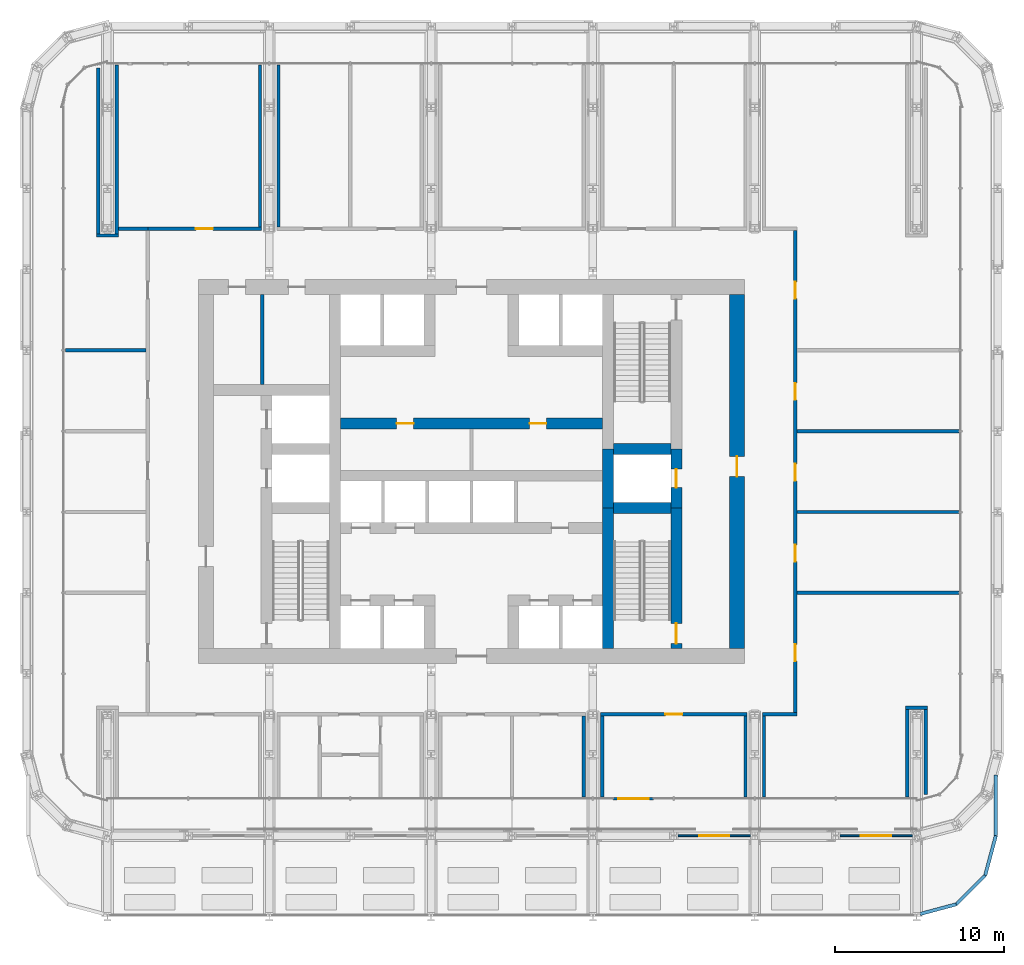
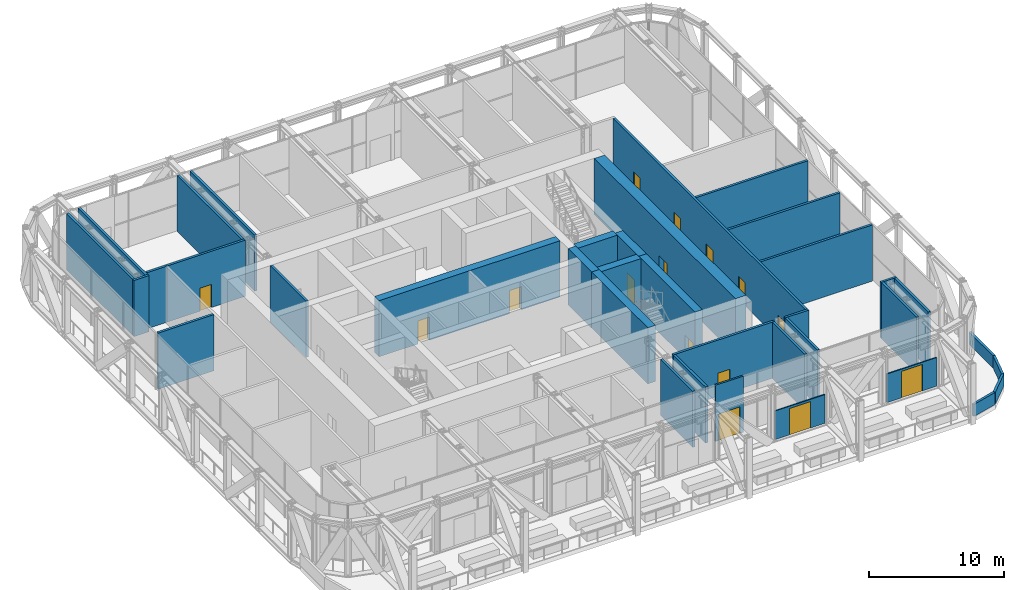
# One storey, part 16 of 23: 37 walls, 15 doors, 15 openings.
"""IFC4 building model written with IfcOpenShell, lengths in metres."""

from ifc_helpers import new_model, si_unit, direction, frame, frame_2d, origin, place, context, subcontext, project, spatial, rectangle, extrude, material, layer, layer_set, type_object, element, fill, save


model = new_model("IFC4")

# Units and contexts
model_context = context("Model", 3, precision=1e-05, world=origin(), true_north=direction((0.0, 1.0)))
body_context = subcontext(model_context, "Body", "Model", "MODEL_VIEW")
ifc_project = project(units=[si_unit("LENGTHUNIT", "METRE"), si_unit("AREAUNIT", "SQUARE_METRE"), si_unit("VOLUMEUNIT", "CUBIC_METRE"), si_unit("PLANEANGLEUNIT", "RADIAN"), si_unit("MASSUNIT", "GRAM", prefix="KILO")], contexts=[model_context])

# Site, building, storey
site_placement = place(None, origin())
site = spatial("IfcSite", under=ifc_project, at=site_placement, CompositionType="ELEMENT")
building_placement = place(site_placement, origin())
building = spatial("IfcBuilding", under=site, at=building_placement, Name="Madar Terraces", CompositionType="ELEMENT")
storey_placement = place(building_placement, frame((0.0, 0.0, 83.800048828125)))
storey = spatial("IfcBuildingStorey", under=building, at=storey_placement, Name="L21", CompositionType="ELEMENT", Elevation=83.800048828125)

# Walls
ifc_material_1 = material(Name="Concrete C80/95", Category="concrete")
ifc_layer_1 = layer(ifc_material_1, 0.64990234375)
ifc_layer_set_1 = layer_set([ifc_layer_1], Name="Concrete C80/95 (CIW2 RC wall 650)")
wall_type_1 = type_object("IfcWallType", Name="CIW2 RC wall 650", PredefinedType="SHEAR", material=ifc_layer_set_1)
wall_1_placement = place(storey_placement, frame((39.300048828125, 15.89990234375, 0.0), z_axis=(0.0, 0.0, 1.0), x_axis=(0.0, 1.0, 0.0)))
element("IfcWall", 1, at=wall_1_placement, inside=storey, type_object=wall_type_1, Name="CORE SHAFT WALL", PredefinedType="SHEAR", context=body_context, shape_type="SweptSolid", body=[
    extrude(rectangle(XDim=8.35009765625, YDim=0.64990234375, at=frame_2d((4.175048828125, 0.0))), origin(), (0.0, 0.0, 1.0), 5.099853515625),
])
wall_2_placement = place(storey_placement, frame((39.300048828125, 24.25, 0.0), z_axis=(0.0, 0.0, 1.0), x_axis=(0.0, 1.0, 0.0)))
element("IfcWall", 2, at=wall_2_placement, inside=storey, type_object=wall_type_1, Name="CORE SHAFT WALL", PredefinedType="SHEAR", context=body_context, shape_type="SweptSolid", body=[
    extrude(rectangle(XDim=3.5, YDim=0.64990234375, at=frame_2d((1.75, 0.0))), origin(), (0.0, 0.0, 1.0), 5.099853515625),
])

# Wall, opening, door
wall_3_placement = place(storey_placement, frame((43.35009765625, 15.89990234375, 0.0), z_axis=(0.0, 0.0, 1.0), x_axis=(0.0, 1.0, 0.0)))
wall_3 = element("IfcWall", 3, at=wall_3_placement, inside=storey, type_object=wall_type_1, Name="CORE SHAFT WALL", PredefinedType="SHEAR", context=body_context, shape_type="SweptSolid", body=[
    extrude(rectangle(XDim=8.35009765625, YDim=0.64990234375, at=frame_2d((4.175048828125, 0.0))), origin(), (0.0, 0.0, 1.0), 5.099853515625),
])
opening_1_placement = place(wall_3_placement, frame((0.300048828125, 0.0, 0.0)))
opening_1 = element("IfcOpeningElement", 4, at=opening_1_placement, cuts=wall_3, Name="Opening SD1", PredefinedType="OPENING", context=body_context, shape_type="SweptSolid", body=[
    extrude(rectangle(XDim=1.199951171875, YDim=2.10009765625, at=frame_2d((0.60009765625, 1.050048828125))), frame((0.0, 0.3349609375, 0.0), z_axis=(0.0, -1.0, 0.0), x_axis=(1.0, 0.0, 0.0)), (0.0, 0.0, 1.0), 0.669921875),
])
ifc_material_2 = material(Name="Steel door leaf", Category="steel")
door_type_1 = type_object("IfcDoorType", Name="Stair door 1200 x 2100", OperationType="NOTDEFINED", PredefinedType="DOOR", material=ifc_material_2)
door_1_placement = place(opening_1_placement, origin())
door_1 = element("IfcDoor", 5, at=door_1_placement, inside=storey, type_object=door_type_1, Name="STAIR DOOR", OperationType="SINGLE_SWING_RIGHT", OverallHeight=2.10009765625, OverallWidth=1.199951171875, PredefinedType="DOOR", context=body_context, shape_type="SweptSolid", body=[
    extrude(rectangle(XDim=1.199951171875, YDim=2.10009765625, at=frame_2d((0.60009765625, 1.050048828125))), frame((0.0, 0.02490234375, 0.0), z_axis=(0.0, -1.0, 0.0), x_axis=(1.0, 0.0, 0.0)), (0.0, 0.0, 1.0), 0.050048828125),
])
fill(opening_1, door_1)

wall_4_placement = place(storey_placement, frame((43.35009765625, 24.25, 0.0), z_axis=(0.0, 0.0, 1.0), x_axis=(0.0, 1.0, 0.0)))
wall_4 = element("IfcWall", 6, at=wall_4_placement, inside=storey, type_object=wall_type_1, Name="CORE SHAFT WALL", PredefinedType="SHEAR", context=body_context, shape_type="SweptSolid", body=[
    extrude(rectangle(XDim=3.5, YDim=0.64990234375, at=frame_2d((1.75, 0.0))), origin(), (0.0, 0.0, 1.0), 5.099853515625),
])
opening_2_placement = place(wall_4_placement, frame((1.199951171875, 0.0, 0.0)))
opening_2 = element("IfcOpeningElement", 7, at=opening_2_placement, cuts=wall_4, Name="Opening LD", PredefinedType="OPENING", context=body_context, shape_type="SweptSolid", body=[
    extrude(rectangle(XDim=1.10009765625, YDim=2.10009765625, at=frame_2d((0.550048828125, 1.050048828125))), frame((0.0, 0.3349609375, 0.0), z_axis=(0.0, -1.0, 0.0), x_axis=(1.0, 0.0, 0.0)), (0.0, 0.0, 1.0), 0.669921875),
])
ifc_material_3 = material(Name="Stainless steel panel", Category="steel")
door_type_2 = type_object("IfcDoorType", Name="Lift landing door 1100 x 2100", OperationType="DOUBLE_DOOR_SLIDING", PredefinedType="DOOR", material=ifc_material_3)
door_2_placement = place(opening_2_placement, origin())
door_2 = element("IfcDoor", 8, at=door_2_placement, inside=storey, type_object=door_type_2, Name="LIFT LANDING DOOR", OperationType="DOUBLE_DOOR_SLIDING", OverallHeight=2.10009765625, OverallWidth=1.10009765625, PredefinedType="DOOR", context=body_context, shape_type="SweptSolid", body=[
    extrude(rectangle(XDim=1.10009765625, YDim=2.10009765625, at=frame_2d((0.550048828125, 1.050048828125))), frame((0.0, 0.02490234375, 0.0), z_axis=(0.0, -1.0, 0.0), x_axis=(1.0, 0.0, 0.0)), (0.0, 0.0, 1.0), 0.050048828125),
])
fill(opening_2, door_2)

# Walls
for number, where, z_axis, x_axis, name in (
    (9, (39.625, 24.25, 0.0), (0.0, 0.0, 1.0), (1.0, 0.0, 0.0), "CORE SHAFT WALL"),
    (10, (39.625, 27.75, 0.0), (0.0, 0.0, 1.0), (1.0, 0.0, 0.0), "CORE SHAFT WALL"),
):
    element("IfcWall", number, at=place(storey_placement, frame(where, z_axis=z_axis, x_axis=x_axis)), inside=storey, type_object=wall_type_1, Name=name, PredefinedType="SHEAR", context=body_context, shape_type="SweptSolid", body=[
        extrude(rectangle(XDim=3.39990234375, YDim=0.64990234375, at=frame_2d((1.699951171875, 0.0))), origin(), (0.0, 0.0, 1.0), 5.099853515625),
    ])

# Wall, openings, doors
wall_5_placement = place(storey_placement, frame((23.425048828125, 29.25, 0.0), z_axis=(0.0, 0.0, 1.0), x_axis=(1.0, 0.0, 0.0)))
wall_5 = element("IfcWall", 11, at=wall_5_placement, inside=storey, type_object=wall_type_1, Name="CORE SHAFT WALL", PredefinedType="SHEAR", context=body_context, shape_type="SweptSolid", body=[
    extrude(rectangle(XDim=15.550048828125, YDim=0.64990234375, at=frame_2d((7.77490234375, 0.0))), origin(), (0.0, 0.0, 1.0), 5.099853515625),
])
opening_3_placement = place(wall_5_placement, frame((3.33740234375, 0.0, 0.0)))
opening_3 = element("IfcOpeningElement", 12, at=opening_3_placement, cuts=wall_5, Name="Opening KD2", PredefinedType="OPENING", context=body_context, shape_type="SweptSolid", body=[
    extrude(rectangle(XDim=1.0, YDim=2.10009765625, at=frame_2d((0.5, 1.050048828125))), frame((0.0, 0.3349609375, 0.0), z_axis=(0.0, -1.0, 0.0), x_axis=(1.0, 0.0, 0.0)), (0.0, 0.0, 1.0), 0.669921875),
])
opening_4_placement = place(wall_5_placement, frame((11.21240234375, 0.0, 0.0)))
opening_4 = element("IfcOpeningElement", 13, at=opening_4_placement, cuts=wall_5, Name="Opening KD2", PredefinedType="OPENING", context=body_context, shape_type="SweptSolid", body=[
    extrude(rectangle(XDim=1.0, YDim=2.10009765625, at=frame_2d((0.5, 1.050048828125))), frame((0.0, 0.3349609375, 0.0), z_axis=(0.0, -1.0, 0.0), x_axis=(1.0, 0.0, 0.0)), (0.0, 0.0, 1.0), 0.669921875),
])
ifc_material_4 = material(Name="Steel door leaf", Category="steel")
door_type_3 = type_object("IfcDoorType", Name="Service room door 1000 x 2100", OperationType="NOTDEFINED", PredefinedType="DOOR", material=ifc_material_4)
door_3_placement = place(opening_3_placement, origin())
door_3 = element("IfcDoor", 14, at=door_3_placement, inside=storey, type_object=door_type_3, Name="SERVICE ROOM DOOR", OperationType="SINGLE_SWING_LEFT", OverallHeight=2.10009765625, OverallWidth=1.0, PredefinedType="DOOR", context=body_context, shape_type="SweptSolid", body=[
    extrude(rectangle(XDim=1.0, YDim=2.10009765625, at=frame_2d((0.5, 1.050048828125))), frame((0.0, 0.02490234375, 0.0), z_axis=(0.0, -1.0, 0.0), x_axis=(1.0, 0.0, 0.0)), (0.0, 0.0, 1.0), 0.050048828125),
])
fill(opening_3, door_3)
door_4_placement = place(opening_4_placement, origin())
door_4 = element("IfcDoor", 15, at=door_4_placement, inside=storey, type_object=door_type_3, Name="SERVICE ROOM DOOR", OperationType="SINGLE_SWING_RIGHT", OverallHeight=2.10009765625, OverallWidth=1.0, PredefinedType="DOOR", context=body_context, shape_type="SweptSolid", body=[
    extrude(rectangle(XDim=1.0, YDim=2.10009765625, at=frame_2d((0.5, 1.050048828125))), frame((0.0, 0.02490234375, 0.0), z_axis=(0.0, -1.0, 0.0), x_axis=(1.0, 0.0, 0.0)), (0.0, 0.0, 1.0), 0.050048828125),
])
fill(opening_4, door_4)

# Wall, opening, door
ifc_material_5 = material(Name="Concrete C80/95", Category="concrete")
ifc_layer_2 = layer(ifc_material_5, 0.89990234375)
ifc_layer_set_2 = layer_set([ifc_layer_2], Name="Concrete C80/95 (CRW2 RC wall 900)")
wall_type_2 = type_object("IfcWallType", Name="CRW2 RC wall 900", PredefinedType="SHEAR", material=ifc_layer_set_2)
wall_6_placement = place(storey_placement, frame((46.949951171875, 15.89990234375, 0.0), z_axis=(0.0, 0.0, 1.0), x_axis=(0.0, 1.0, 0.0)))
wall_6 = element("IfcWall", 16, at=wall_6_placement, inside=storey, type_object=wall_type_2, Name="CORE OUTER WALL", PredefinedType="SHEAR", context=body_context, shape_type="SweptSolid", body=[
    extrude(rectangle(XDim=21.0, YDim=0.89990234375, at=frame_2d((10.5, 0.0))), origin(), (0.0, 0.0, 1.0), 5.099853515625),
])
opening_5_placement = place(wall_6_placement, frame((10.199951171875, 0.0, 0.0)))
opening_5 = element("IfcOpeningElement", 17, at=opening_5_placement, cuts=wall_6, Name="Opening SD1", PredefinedType="OPENING", context=body_context, shape_type="SweptSolid", body=[
    extrude(rectangle(XDim=1.199951171875, YDim=2.10009765625, at=frame_2d((0.60009765625, 1.050048828125))), frame((0.0, 0.4599609375, 0.0), z_axis=(0.0, -1.0, 0.0), x_axis=(1.0, 0.0, 0.0)), (0.0, 0.0, 1.0), 0.919921875),
])
door_5_placement = place(opening_5_placement, origin())
door_5 = element("IfcDoor", 18, at=door_5_placement, inside=storey, type_object=door_type_1, Name="STAIR DOOR", OperationType="SINGLE_SWING_LEFT", OverallHeight=2.10009765625, OverallWidth=1.199951171875, PredefinedType="DOOR", context=body_context, shape_type="SweptSolid", body=[
    extrude(rectangle(XDim=1.199951171875, YDim=2.10009765625, at=frame_2d((0.60009765625, 1.050048828125))), frame((0.0, 0.02490234375, 0.0), z_axis=(0.0, -1.0, 0.0), x_axis=(1.0, 0.0, 0.0)), (0.0, 0.0, 1.0), 0.050048828125),
])
fill(opening_5, door_5)

# Wall
ifc_material_6 = material(Name="Masonry blockwork", Category="masonry")
ifc_layer_3 = layer(ifc_material_6, 0.199951171875)
ifc_layer_set_3 = layer_set([ifc_layer_3], Name="Core partition 200 blockwork")
wall_type_3 = type_object("IfcWallType", Name="Core partition 200 blockwork", PredefinedType="PARTITIONING", material=ifc_layer_set_3)
wall_7_placement = place(storey_placement, frame((18.78759765625, 31.574951171875, 0.0), z_axis=(0.0, 0.0, 1.0), x_axis=(0.0, 1.0, 0.0)))
element("IfcWall", 19, at=wall_7_placement, inside=storey, type_object=wall_type_3, Name="SERVICE ROOM PARTITION", PredefinedType="PARTITIONING", context=body_context, shape_type="SweptSolid", body=[
    extrude(rectangle(XDim=5.324951171875, YDim=0.199951171875, at=frame_2d((2.66259765625, 0.0))), origin(), (0.0, 0.0, 1.0), 5.099853515625),
])

# Wall, opening, door
ifc_material_7 = material(Name="Aluminium composite panel, black, over insulated backing", Category="aluminium")
ifc_layer_4 = layer(ifc_material_7, 0.14990234375)
ifc_layer_set_4 = layer_set([ifc_layer_4], Name="Facade bay panel 150")
wall_type_4 = type_object("IfcWallType", Name="Facade bay panel 150", PredefinedType="SOLIDWALL", material=ifc_layer_set_4)
wall_8_placement = place(storey_placement, frame((39.60009765625, 7.0, 0.0), z_axis=(0.0, 0.0, 1.0), x_axis=(1.0, 0.0, 0.0)))
wall_8 = element("IfcWall", 20, at=wall_8_placement, inside=storey, type_object=wall_type_4, Name="Facade bay panel", PredefinedType="SOLIDWALL", context=body_context, shape_type="SweptSolid", body=[
    extrude(rectangle(XDim=2.39990234375, YDim=0.14990234375, at=frame_2d((1.199951171875, 0.0))), origin(), (0.0, 0.0, 1.0), 5.099853515625),
])
opening_6_placement = place(wall_8_placement, frame((0.300048828125, 0.0, 0.0)))
opening_6 = element("IfcOpeningElement", 21, at=opening_6_placement, cuts=wall_8, Name="Opening ED1", PredefinedType="OPENING", context=body_context, shape_type="SweptSolid", body=[
    extrude(rectangle(XDim=1.800048828125, YDim=2.39990234375, at=frame_2d((0.89990234375, 1.199951171875))), frame((0.0, 0.0849609375, 0.0), z_axis=(0.0, -1.0, 0.0), x_axis=(1.0, 0.0, 0.0)), (0.0, 0.0, 1.0), 0.169921875),
])
ifc_material_8 = material(Name="Glass, clear, with black aluminium frame", Category="aluminium")
door_type_4 = type_object("IfcDoorType", Name="Balcony and terrace sliding door 1800 x 2400", OperationType="SLIDING_TO_LEFT", PredefinedType="DOOR", material=ifc_material_8)
door_6_placement = place(opening_6_placement, origin())
door_6 = element("IfcDoor", 22, at=door_6_placement, inside=storey, type_object=door_type_4, Name="Balcony door", OperationType="SLIDING_TO_LEFT", OverallHeight=2.39990234375, OverallWidth=1.800048828125, PredefinedType="DOOR", context=body_context, shape_type="SweptSolid", body=[
    extrude(rectangle(XDim=1.800048828125, YDim=2.39990234375, at=frame_2d((0.89990234375, 1.199951171875))), frame((0.0, 0.02490234375, 0.0), z_axis=(0.0, -1.0, 0.0), x_axis=(1.0, 0.0, 0.0)), (0.0, 0.0, 1.0), 0.050048828125),
])
fill(opening_6, door_6)

ifc_material_9 = material(Name="Gypsum board partition, fire-rated")
ifc_layer_5 = layer(ifc_material_9, 0.199951171875)
ifc_layer_set_5 = layer_set([ifc_layer_5], Name="Partition 200 EI 60")
wall_type_5 = type_object("IfcWallType", Name="Partition 200 EI 60", PredefinedType="PARTITIONING", material=ifc_layer_set_5)
wall_9_placement = place(storey_placement, frame((47.550048828125, 12.0, 0.0), z_axis=(0.0, 0.0, 1.0), x_axis=(-1.0, 0.0, 0.0)))
wall_9 = element("IfcWall", 23, at=wall_9_placement, inside=storey, type_object=wall_type_5, Name="Wall NURSERY PLAY ROOM / RING CORRIDOR", PredefinedType="PARTITIONING", context=body_context, shape_type="SweptSolid", body=[
    extrude(rectangle(XDim=8.699951171875, YDim=0.199951171875, at=frame_2d((4.35009765625, 0.0))), origin(), (0.0, 0.0, 1.0), 5.099853515625),
])
opening_7_placement = place(wall_9_placement, frame((3.85009765625, 0.0, 0.0)))
opening_7 = element("IfcOpeningElement", 24, at=opening_7_placement, cuts=wall_9, Name="Opening D31", PredefinedType="OPENING", context=body_context, shape_type="SweptSolid", body=[
    extrude(rectangle(XDim=1.0, YDim=2.10009765625, at=frame_2d((0.5, 1.050048828125))), frame((0.0, 0.10986328125, 0.0), z_axis=(0.0, -1.0, 0.0), x_axis=(1.0, 0.0, 0.0)), (0.0, 0.0, 1.0), 0.219970703125),
])
ifc_material_10 = material(Name="Timber door leaf, fire-rated", Category="wood")
door_type_5 = type_object("IfcDoorType", Name="Podium door 1000 x 2100 FD30S", OperationType="NOTDEFINED", PredefinedType="DOOR", material=ifc_material_10)
door_7_placement = place(opening_7_placement, origin())
door_7 = element("IfcDoor", 25, at=door_7_placement, inside=storey, type_object=door_type_5, Name="Door NURSERY PLAY ROOM / RING CORRIDOR", OperationType="SINGLE_SWING_LEFT", OverallHeight=2.10009765625, OverallWidth=1.0, PredefinedType="DOOR", context=body_context, shape_type="SweptSolid", body=[
    extrude(rectangle(XDim=1.0, YDim=2.10009765625, at=frame_2d((0.5, 1.050048828125))), frame((0.0, 0.02490234375, 0.0), z_axis=(0.0, -1.0, 0.0), x_axis=(1.0, 0.0, 0.0)), (0.0, 0.0, 1.0), 0.050048828125),
])
fill(opening_7, door_7)

# Walls
wall_10_placement = place(storey_placement, frame((48.449951171875, 12.0, 0.0), z_axis=(0.0, 0.0, 1.0), x_axis=(1.0, 0.0, 0.0)))
element("IfcWall", 26, at=wall_10_placement, inside=storey, type_object=wall_type_5, Name="Wall CHILDRENS ACTIVITY ROOM / RING CORRIDOR", PredefinedType="PARTITIONING", context=body_context, shape_type="SweptSolid", body=[
    extrude(rectangle(XDim=2.050048828125, YDim=0.199951171875, at=frame_2d((1.02490234375, 0.0))), origin(), (0.0, 0.0, 1.0), 5.099853515625),
])
for number, where, z_axis, x_axis, name in (
    (27, (50.5, 19.199951171875, 0.0), (0.0, 0.0, 1.0), (1.0, 0.0, 0.0), "Wall CHILDRENS ACTIVITY ROOM / YOUTH ROOM"),
    (28, (50.5, 24.0, 0.0), (0.0, 0.0, 1.0), (1.0, 0.0, 0.0), "Wall YOUTH ROOM / KITCHENETTE"),
    (29, (50.5, 28.800048828125, 0.0), (0.0, 0.0, 1.0), (1.0, 0.0, 0.0), "Wall KITCHENETTE / ACTIVITY ROOM"),
):
    element("IfcWall", number, at=place(storey_placement, frame(where, z_axis=z_axis, x_axis=x_axis)), inside=storey, type_object=wall_type_5, Name=name, PredefinedType="PARTITIONING", context=body_context, shape_type="SweptSolid", body=[
        extrude(rectangle(XDim=9.60009765625, YDim=0.199951171875, at=frame_2d((4.800048828125, 0.0))), origin(), (0.0, 0.0, 1.0), 5.099853515625),
    ])
wall_11_placement = place(storey_placement, frame((7.10009765625, 33.60009765625, 0.0), z_axis=(0.0, 0.0, 1.0), x_axis=(1.0, 0.0, 0.0)))
element("IfcWall", 30, at=wall_11_placement, inside=storey, type_object=wall_type_5, Name="Wall OFFICE / STAFF ROOM", PredefinedType="PARTITIONING", context=body_context, shape_type="SweptSolid", body=[
    extrude(rectangle(XDim=4.7998046875, YDim=0.199951171875, at=frame_2d((2.39990234375, 0.0))), origin(), (0.0, 0.0, 1.0), 5.099853515625),
])
wall_12_placement = place(storey_placement, frame((10.25, 40.800048828125, 0.0), z_axis=(0.0, 0.0, 1.0), x_axis=(1.0, 0.0, 0.0)))
element("IfcWall", 31, at=wall_12_placement, inside=storey, type_object=wall_type_5, Name="Wall CRAFT ROOM / STAFF ROOM", PredefinedType="PARTITIONING", context=body_context, shape_type="SweptSolid", body=[
    extrude(rectangle(XDim=1.75, YDim=0.199951171875, at=frame_2d((0.875, 0.0))), origin(), (0.0, 0.0, 1.0), 5.099853515625),
])

# Wall, opening, door
wall_13_placement = place(storey_placement, frame((12.0, 40.800048828125, 0.0), z_axis=(0.0, 0.0, 1.0), x_axis=(1.0, 0.0, 0.0)))
wall_13 = element("IfcWall", 32, at=wall_13_placement, inside=storey, type_object=wall_type_5, Name="Wall CRAFT ROOM / RING CORRIDOR", PredefinedType="PARTITIONING", context=body_context, shape_type="SweptSolid", body=[
    extrude(rectangle(XDim=6.75, YDim=0.199951171875, at=frame_2d((3.375, 0.0))), origin(), (0.0, 0.0, 1.0), 5.099853515625),
])
opening_8_placement = place(wall_13_placement, frame((2.85009765625, 0.0, 0.0)))
opening_8 = element("IfcOpeningElement", 33, at=opening_8_placement, cuts=wall_13, Name="Opening D31", PredefinedType="OPENING", context=body_context, shape_type="SweptSolid", body=[
    extrude(rectangle(XDim=1.0, YDim=2.10009765625, at=frame_2d((0.5, 1.050048828125))), frame((0.0, 0.10986328125, 0.0), z_axis=(0.0, -1.0, 0.0), x_axis=(1.0, 0.0, 0.0)), (0.0, 0.0, 1.0), 0.219970703125),
])
door_8_placement = place(opening_8_placement, origin())
door_8 = element("IfcDoor", 34, at=door_8_placement, inside=storey, type_object=door_type_5, Name="Door CRAFT ROOM / RING CORRIDOR", OperationType="SINGLE_SWING_LEFT", OverallHeight=2.10009765625, OverallWidth=1.0, PredefinedType="DOOR", context=body_context, shape_type="SweptSolid", body=[
    extrude(rectangle(XDim=1.0, YDim=2.10009765625, at=frame_2d((0.5, 1.050048828125))), frame((0.0, 0.02490234375, 0.0), z_axis=(0.0, -1.0, 0.0), x_axis=(1.0, 0.0, 0.0)), (0.0, 0.0, 1.0), 0.050048828125),
])
fill(opening_8, door_8)

# Wall, openings, doors
wall_14_placement = place(storey_placement, frame((50.39990234375, 40.699951171875, 0.0), z_axis=(0.0, 0.0, 1.0), x_axis=(0.0, -1.0, 0.0)))
wall_14 = element("IfcWall", 35, at=wall_14_placement, inside=storey, type_object=wall_type_5, Name="Wall ACTIVITY ROOM + CHILDRENS ACTIVITY ROOM", PredefinedType="PARTITIONING", context=body_context, shape_type="SweptSolid", body=[
    extrude(rectangle(XDim=28.599853515625, YDim=0.199951171875, at=frame_2d((14.2998046875, 0.0))), origin(), (0.0, 0.0, 1.0), 5.099853515625),
])
opening_9_placement = place(wall_14_placement, frame((24.550048828125, 0.0, 0.0)))
opening_9 = element("IfcOpeningElement", 36, at=opening_9_placement, cuts=wall_14, Name="Opening D31", PredefinedType="OPENING", context=body_context, shape_type="SweptSolid", body=[
    extrude(rectangle(XDim=1.0, YDim=2.10009765625, at=frame_2d((0.5, 1.050048828125))), frame((0.0, 0.10986328125, 0.0), z_axis=(0.0, -1.0, 0.0), x_axis=(1.0, 0.0, 0.0)), (0.0, 0.0, 1.0), 0.219970703125),
])
opening_10_placement = place(wall_14_placement, frame((18.64990234375, 0.0, 0.0)))
opening_10 = element("IfcOpeningElement", 37, at=opening_10_placement, cuts=wall_14, Name="Opening D31", PredefinedType="OPENING", context=body_context, shape_type="SweptSolid", body=[
    extrude(rectangle(XDim=1.0, YDim=2.10009765625, at=frame_2d((0.5, 1.050048828125))), frame((0.0, 0.10986328125, 0.0), z_axis=(0.0, -1.0, 0.0), x_axis=(1.0, 0.0, 0.0)), (0.0, 0.0, 1.0), 0.219970703125),
])
opening_11_placement = place(wall_14_placement, frame((13.85009765625, 0.0, 0.0)))
opening_11 = element("IfcOpeningElement", 38, at=opening_11_placement, cuts=wall_14, Name="Opening D31", PredefinedType="OPENING", context=body_context, shape_type="SweptSolid", body=[
    extrude(rectangle(XDim=1.0, YDim=2.10009765625, at=frame_2d((0.5, 1.050048828125))), frame((0.0, 0.10986328125, 0.0), z_axis=(0.0, -1.0, 0.0), x_axis=(1.0, 0.0, 0.0)), (0.0, 0.0, 1.0), 0.219970703125),
])
opening_12_placement = place(wall_14_placement, frame((9.050048828125, 0.0, 0.0)))
opening_12 = element("IfcOpeningElement", 39, at=opening_12_placement, cuts=wall_14, Name="Opening D31", PredefinedType="OPENING", context=body_context, shape_type="SweptSolid", body=[
    extrude(rectangle(XDim=1.0, YDim=2.10009765625, at=frame_2d((0.5, 1.050048828125))), frame((0.0, 0.10986328125, 0.0), z_axis=(0.0, -1.0, 0.0), x_axis=(1.0, 0.0, 0.0)), (0.0, 0.0, 1.0), 0.219970703125),
])
opening_13_placement = place(wall_14_placement, frame((3.050048828125, 0.0, 0.0)))
opening_13 = element("IfcOpeningElement", 40, at=opening_13_placement, cuts=wall_14, Name="Opening D31", PredefinedType="OPENING", context=body_context, shape_type="SweptSolid", body=[
    extrude(rectangle(XDim=1.0, YDim=2.10009765625, at=frame_2d((0.5, 1.050048828125))), frame((0.0, 0.10986328125, 0.0), z_axis=(0.0, -1.0, 0.0), x_axis=(1.0, 0.0, 0.0)), (0.0, 0.0, 1.0), 0.219970703125),
])
door_9_placement = place(opening_9_placement, origin())
door_9 = element("IfcDoor", 41, at=door_9_placement, inside=storey, type_object=door_type_5, Name="Door CHILDRENS ACTIVITY ROOM / RING CORRIDOR", OperationType="SINGLE_SWING_RIGHT", OverallHeight=2.10009765625, OverallWidth=1.0, PredefinedType="DOOR", context=body_context, shape_type="SweptSolid", body=[
    extrude(rectangle(XDim=1.0, YDim=2.10009765625, at=frame_2d((0.5, 1.050048828125))), frame((0.0, 0.02490234375, 0.0), z_axis=(0.0, -1.0, 0.0), x_axis=(1.0, 0.0, 0.0)), (0.0, 0.0, 1.0), 0.050048828125),
])
fill(opening_9, door_9)
door_10_placement = place(opening_10_placement, origin())
door_10 = element("IfcDoor", 42, at=door_10_placement, inside=storey, type_object=door_type_5, Name="Door YOUTH ROOM / RING CORRIDOR", OperationType="SINGLE_SWING_RIGHT", OverallHeight=2.10009765625, OverallWidth=1.0, PredefinedType="DOOR", context=body_context, shape_type="SweptSolid", body=[
    extrude(rectangle(XDim=1.0, YDim=2.10009765625, at=frame_2d((0.5, 1.050048828125))), frame((0.0, 0.02490234375, 0.0), z_axis=(0.0, -1.0, 0.0), x_axis=(1.0, 0.0, 0.0)), (0.0, 0.0, 1.0), 0.050048828125),
])
fill(opening_10, door_10)
door_11_placement = place(opening_11_placement, origin())
door_11 = element("IfcDoor", 43, at=door_11_placement, inside=storey, type_object=door_type_5, Name="Door KITCHENETTE / RING CORRIDOR", OperationType="SINGLE_SWING_RIGHT", OverallHeight=2.10009765625, OverallWidth=1.0, PredefinedType="DOOR", context=body_context, shape_type="SweptSolid", body=[
    extrude(rectangle(XDim=1.0, YDim=2.10009765625, at=frame_2d((0.5, 1.050048828125))), frame((0.0, 0.02490234375, 0.0), z_axis=(0.0, -1.0, 0.0), x_axis=(1.0, 0.0, 0.0)), (0.0, 0.0, 1.0), 0.050048828125),
])
fill(opening_11, door_11)
door_12_placement = place(opening_12_placement, origin())
door_12 = element("IfcDoor", 44, at=door_12_placement, inside=storey, type_object=door_type_5, Name="Door ACTIVITY ROOM / RING CORRIDOR", OperationType="SINGLE_SWING_RIGHT", OverallHeight=2.10009765625, OverallWidth=1.0, PredefinedType="DOOR", context=body_context, shape_type="SweptSolid", body=[
    extrude(rectangle(XDim=1.0, YDim=2.10009765625, at=frame_2d((0.5, 1.050048828125))), frame((0.0, 0.02490234375, 0.0), z_axis=(0.0, -1.0, 0.0), x_axis=(1.0, 0.0, 0.0)), (0.0, 0.0, 1.0), 0.050048828125),
])
fill(opening_12, door_12)
door_13_placement = place(opening_13_placement, origin())
door_13 = element("IfcDoor", 45, at=door_13_placement, inside=storey, type_object=door_type_5, Name="Door OFFICE / RING CORRIDOR", OperationType="SINGLE_SWING_RIGHT", OverallHeight=2.10009765625, OverallWidth=1.0, PredefinedType="DOOR", context=body_context, shape_type="SweptSolid", body=[
    extrude(rectangle(XDim=1.0, YDim=2.10009765625, at=frame_2d((0.5, 1.050048828125))), frame((0.0, 0.02490234375, 0.0), z_axis=(0.0, -1.0, 0.0), x_axis=(1.0, 0.0, 0.0)), (0.0, 0.0, 1.0), 0.050048828125),
])
fill(opening_13, door_13)

# Walls
ifc_material_11 = material(Name="Gypsum board partition on metal studs")
ifc_layer_6 = layer(ifc_material_11, 0.199951171875)
ifc_layer_set_6 = layer_set([ifc_layer_6], Name="Partition 200 plain")
wall_type_6 = type_object("IfcWallType", Name="Partition 200 plain", PredefinedType="PARTITIONING", material=ifc_layer_set_6)
for number, where, z_axis, x_axis, name in (
    (46, (56.949951171875, 12.39990234375, 0.0), (0.0, 0.0, 1.0), (1.0, 0.0, 0.0), "Wall CHILDRENS ACTIVITY ROOM / TRUSS SLOT"),
    (47, (8.949951171875, 40.39990234375, 0.0), (0.0, 0.0, 1.0), (1.0, 0.0, 0.0), "Wall STAFF ROOM / TRUSS SLOT"),
):
    element("IfcWall", number, at=place(storey_placement, frame(where, z_axis=z_axis, x_axis=x_axis)), inside=storey, type_object=wall_type_6, Name=name, PredefinedType="PARTITIONING", context=body_context, shape_type="SweptSolid", body=[
        extrude(rectangle(XDim=1.300048828125, YDim=0.199951171875, at=frame_2d((0.64990234375, 0.0))), origin(), (0.0, 0.0, 1.0), 5.099853515625),
    ])
wall_15_placement = place(storey_placement, frame((9.050048828125, 40.5, 0.0), z_axis=(0.0, 0.0, 1.0), x_axis=(0.0, 1.0, 0.0)))
element("IfcWall", 48, at=wall_15_placement, inside=storey, type_object=wall_type_6, Name="Wall STAFF ROOM / TRUSS SLOT", PredefinedType="PARTITIONING", context=body_context, shape_type="SweptSolid", body=[
    extrude(rectangle(XDim=9.85009765625, YDim=0.199951171875, at=frame_2d((4.925048828125, 0.0))), origin(), (0.0, 0.0, 1.0), 5.099853515625),
])
wall_16_placement = place(storey_placement, frame((10.14990234375, 40.5, 0.0), z_axis=(0.0, 0.0, 1.0), x_axis=(0.0, 1.0, 0.0)))
element("IfcWall", 49, at=wall_16_placement, inside=storey, type_object=wall_type_6, Name="Wall CRAFT ROOM + STAFF ROOM", PredefinedType="PARTITIONING", context=body_context, shape_type="SweptSolid", body=[
    extrude(rectangle(XDim=10.0, YDim=0.199951171875, at=frame_2d((5.0, 0.0))), origin(), (0.0, 0.0, 1.0), 5.099853515625),
])
for number, where, z_axis, x_axis, name in (
    (50, (18.64990234375, 40.89990234375, 0.0), (0.0, 0.0, 1.0), (0.0, 1.0, 0.0), "Wall CRAFT ROOM / TRUSS SLOT"),
    (51, (19.75, 40.89990234375, 0.0), (0.0, 0.0, 1.0), (0.0, 1.0, 0.0), "Wall OFFICE / TRUSS SLOT"),
):
    element("IfcWall", number, at=place(storey_placement, frame(where, z_axis=z_axis, x_axis=x_axis)), inside=storey, type_object=wall_type_6, Name=name, PredefinedType="PARTITIONING", context=body_context, shape_type="SweptSolid", body=[
        extrude(rectangle(XDim=9.60009765625, YDim=0.199951171875, at=frame_2d((4.800048828125, 0.0))), origin(), (0.0, 0.0, 1.0), 5.099853515625),
    ])
for number, where, z_axis, x_axis, name in (
    (52, (37.85009765625, 7.10009765625, 0.0), (0.0, 0.0, 1.0), (0.0, 1.0, 0.0), "Wall KITCHEN / TRUSS SLOT"),
    (53, (38.949951171875, 7.10009765625, 0.0), (0.0, 0.0, 1.0), (0.0, 1.0, 0.0), "Wall NURSERY PLAY ROOM / TRUSS SLOT"),
    (54, (47.449951171875, 7.10009765625, 0.0), (0.0, 0.0, 1.0), (0.0, 1.0, 0.0), "Wall NURSERY PLAY ROOM / TRUSS SLOT"),
    (55, (48.550048828125, 7.10009765625, 0.0), (0.0, 0.0, 1.0), (0.0, 1.0, 0.0), "Wall CHILDRENS ACTIVITY ROOM / TRUSS SLOT"),
):
    element("IfcWall", number, at=place(storey_placement, frame(where, z_axis=z_axis, x_axis=x_axis)), inside=storey, type_object=wall_type_6, Name=name, PredefinedType="PARTITIONING", context=body_context, shape_type="SweptSolid", body=[
        extrude(rectangle(XDim=4.7998046875, YDim=0.199951171875, at=frame_2d((2.39990234375, 0.0))), origin(), (0.0, 0.0, 1.0), 5.099853515625),
    ])
wall_17_placement = place(storey_placement, frame((57.050048828125, 7.10009765625, 0.0), z_axis=(0.0, 0.0, 1.0), x_axis=(0.0, 1.0, 0.0)))
element("IfcWall", 56, at=wall_17_placement, inside=storey, type_object=wall_type_6, Name="Wall CHILDRENS ACTIVITY ROOM / TRUSS SLOT", PredefinedType="PARTITIONING", context=body_context, shape_type="SweptSolid", body=[
    extrude(rectangle(XDim=5.199951171875, YDim=0.199951171875, at=frame_2d((2.60009765625, 0.0))), origin(), (0.0, 0.0, 1.0), 5.099853515625),
])
wall_18_placement = place(storey_placement, frame((58.14990234375, 7.25, 0.0), z_axis=(0.0, 0.0, 1.0), x_axis=(0.0, 1.0, 0.0)))
element("IfcWall", 57, at=wall_18_placement, inside=storey, type_object=wall_type_6, Name="Wall CHILDRENS ACTIVITY ROOM / TRUSS SLOT", PredefinedType="PARTITIONING", context=body_context, shape_type="SweptSolid", body=[
    extrude(rectangle(XDim=5.050048828125, YDim=0.199951171875, at=frame_2d((2.52490234375, 0.0))), origin(), (0.0, 0.0, 1.0), 5.099853515625),
])
ifc_material_12 = material(Name="Concrete C40/50", Category="concrete")
ifc_layer_7 = layer(ifc_material_12, 0.199951171875)
ifc_layer_set_7 = layer_set([ifc_layer_7], Name="Roof parapet 200")
wall_type_7 = type_object("IfcWallType", Name="Roof parapet 200", PredefinedType="PARAPET", material=ifc_layer_set_7)
wall_19_placement = place(storey_placement, frame((57.8046875, 0.15478515625, 0.0400390625), z_axis=(0.0, 0.0, 1.0), x_axis=(0.965911247431, 0.258873448014, 0.0)))
element("IfcWall", 58, at=wall_19_placement, inside=storey, type_object=wall_type_7, Name="Roof parapet", PredefinedType="PARAPET", context=body_context, shape_type="SweptSolid", body=[
    extrude(rectangle(XDim=2.220947265625, YDim=0.199951171875, at=frame_2d((1.1103515625, 0.0))), origin(), (0.0, 0.0, 1.0), 1.099853515625),
])
for number, where, z_axis, x_axis, name in (
    (59, (59.949951171875, 0.729736328125, 0.0400390625), (0.0, 0.0, 1.0), (0.707156953733, 0.70705660508, 0.0), "Roof parapet"),
    (60, (61.67041015625, 2.449951171875, 0.0400390625), (0.0, 0.0, 1.0), (0.258792930722, 0.965932823238, 0.0), "Roof parapet"),
):
    element("IfcWall", number, at=place(storey_placement, frame(where, z_axis=z_axis, x_axis=x_axis)), inside=storey, type_object=wall_type_7, Name=name, PredefinedType="PARAPET", context=body_context, shape_type="SweptSolid", body=[
        extrude(rectangle(XDim=2.432861328125, YDim=0.199951171875, at=frame_2d((1.21630859375, 0.0))), origin(), (0.0, 0.0, 1.0), 1.099853515625),
    ])
wall_20_placement = place(storey_placement, frame((62.300048828125, 4.800048828125, 0.0400390625), z_axis=(0.0, 0.0, 1.0), x_axis=(0.0, 1.0, 0.0)))
element("IfcWall", 61, at=wall_20_placement, inside=storey, type_object=wall_type_7, Name="Roof parapet", PredefinedType="PARAPET", context=body_context, shape_type="SweptSolid", body=[
    extrude(rectangle(XDim=3.6005859375, YDim=0.199951171875, at=frame_2d((1.80029296875, 0.0))), origin(), (0.0, 0.0, 1.0), 1.099853515625),
])

# Wall, opening, door
ifc_material_13 = material(Name="Steel S355, powder-coated", Category="steel")
ifc_layer_8 = layer(ifc_material_13, 0.10009765625)
ifc_layer_set_8 = layer_set([ifc_layer_8], Name="Terrace gate frame 100")
wall_type_8 = type_object("IfcWallType", Name="Terrace gate frame 100", PredefinedType="SOLIDWALL", material=ifc_layer_set_8)
wall_21_placement = place(storey_placement, frame((47.7509765625, 4.800048828125, 0.128662109375), z_axis=(0.0, 0.0, 1.0), x_axis=(-1.0, 0.0, 0.0)))
wall_21 = element("IfcWall", 62, at=wall_21_placement, inside=storey, type_object=wall_type_8, Name="Terrace gate frame", PredefinedType="SOLIDWALL", context=body_context, shape_type="SweptSolid", body=[
    extrude(rectangle(XDim=4.302001953125, YDim=0.10009765625, at=frame_2d((2.15087890625, 0.0))), origin(), (0.0, 0.0, 1.0), 2.599853515625),
])
opening_14_placement = place(wall_21_placement, frame((1.2509765625, 0.0, 0.0)))
opening_14 = element("IfcOpeningElement", 63, at=opening_14_placement, cuts=wall_21, Name="Opening ED9", PredefinedType="OPENING", context=body_context, shape_type="SweptSolid", body=[
    extrude(rectangle(XDim=1.800048828125, YDim=2.39990234375, at=frame_2d((0.89990234375, 1.199951171875))), frame((0.0, 0.06005859375, 0.0), z_axis=(0.0, -1.0, 0.0), x_axis=(1.0, 0.0, 0.0)), (0.0, 0.0, 1.0), 0.1201171875),
])
ifc_material_14 = material(Name="Steel, powder-coated, with safety glazing", Category="steel")
door_type_6 = type_object("IfcDoorType", Name="Terrace gate door 1800 x 2400", OperationType="NOTDEFINED", PredefinedType="DOOR", material=ifc_material_14)
door_14_placement = place(opening_14_placement, origin())
door_14 = element("IfcDoor", 64, at=door_14_placement, inside=storey, type_object=door_type_6, Name="Terrace gate", OperationType="DOUBLE_DOOR_SINGLE_SWING", OverallHeight=2.39990234375, OverallWidth=1.800048828125, PredefinedType="DOOR", context=body_context, shape_type="SweptSolid", body=[
    extrude(rectangle(XDim=1.800048828125, YDim=2.39990234375, at=frame_2d((0.89990234375, 1.199951171875))), frame((0.0, 0.02490234375, 0.0), z_axis=(0.0, -1.0, 0.0), x_axis=(1.0, 0.0, 0.0)), (0.0, 0.0, 1.0), 0.050048828125),
])
fill(opening_14, door_14)

wall_22_placement = place(storey_placement, frame((57.35107421875, 4.800048828125, 0.128662109375), z_axis=(0.0, 0.0, 1.0), x_axis=(-1.0, 0.0, 0.0)))
wall_22 = element("IfcWall", 65, at=wall_22_placement, inside=storey, type_object=wall_type_8, Name="Terrace gate frame", PredefinedType="SOLIDWALL", context=body_context, shape_type="SweptSolid", body=[
    extrude(rectangle(XDim=4.30224609375, YDim=0.10009765625, at=frame_2d((2.151123046875, 0.0))), origin(), (0.0, 0.0, 1.0), 2.599853515625),
])
opening_15_placement = place(wall_22_placement, frame((1.2509765625, 0.0, 0.0)))
opening_15 = element("IfcOpeningElement", 66, at=opening_15_placement, cuts=wall_22, Name="Opening ED9", PredefinedType="OPENING", context=body_context, shape_type="SweptSolid", body=[
    extrude(rectangle(XDim=1.800048828125, YDim=2.39990234375, at=frame_2d((0.89990234375, 1.199951171875))), frame((0.0, 0.06005859375, 0.0), z_axis=(0.0, -1.0, 0.0), x_axis=(1.0, 0.0, 0.0)), (0.0, 0.0, 1.0), 0.1201171875),
])
door_15_placement = place(opening_15_placement, origin())
door_15 = element("IfcDoor", 67, at=door_15_placement, inside=storey, type_object=door_type_6, Name="Terrace gate", OperationType="DOUBLE_DOOR_SINGLE_SWING", OverallHeight=2.39990234375, OverallWidth=1.800048828125, PredefinedType="DOOR", context=body_context, shape_type="SweptSolid", body=[
    extrude(rectangle(XDim=1.800048828125, YDim=2.39990234375, at=frame_2d((0.89990234375, 1.199951171875))), frame((0.0, 0.02490234375, 0.0), z_axis=(0.0, -1.0, 0.0), x_axis=(1.0, 0.0, 0.0)), (0.0, 0.0, 1.0), 0.050048828125),
])
fill(opening_15, door_15)

save(model, "model.ifc")
